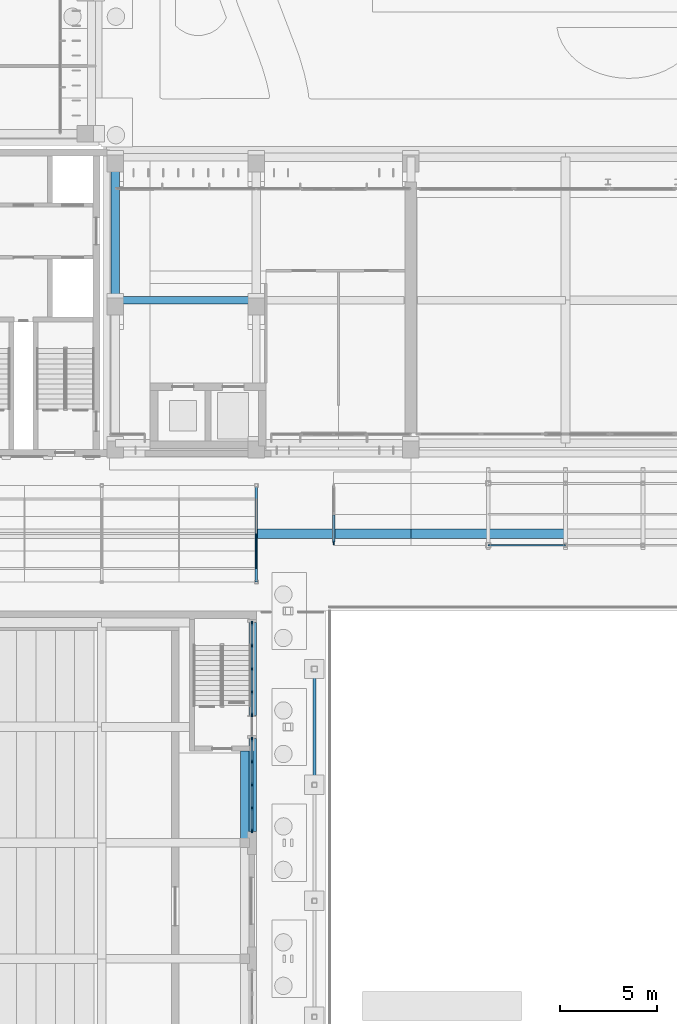
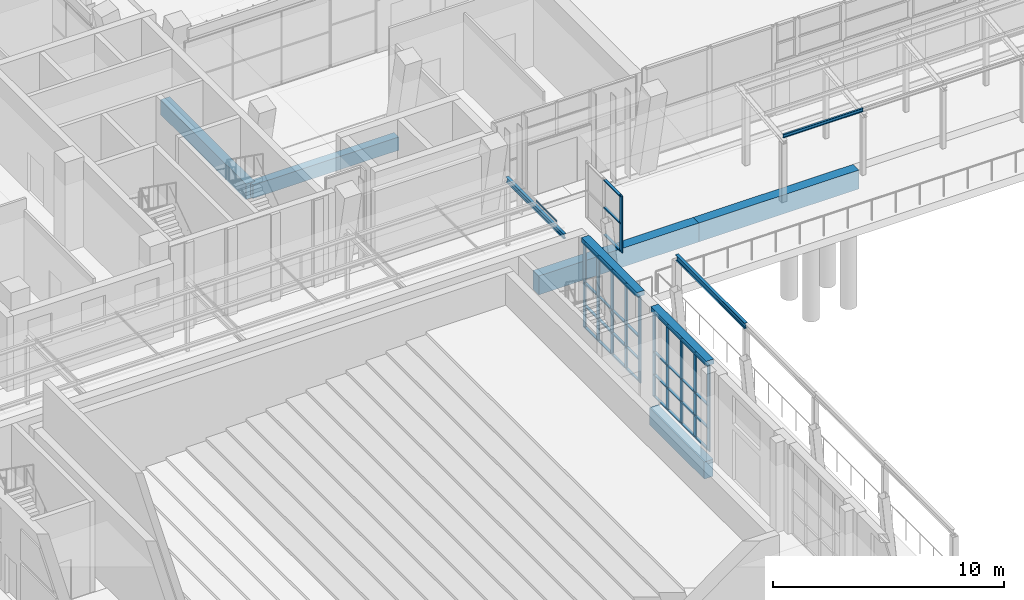
# One storey, part 31 of 144: 48 members, 9 beams, 3 elements without a shape of their own.
"""IFC4 building model written with IfcOpenShell, lengths in metres."""

from ifc_helpers import new_model, si_unit, direction, frame, origin, origin_2d, place, context, subcontext, project, spatial, rectangle, i_section, extrude, material, layer, layer_set, material_profile, profile_set, type_object, element, aggregate, save


model = new_model("IFC4")

# Units and contexts
model_context = context("Model", 3, precision=1e-05, world=origin(), true_north=direction((0.0, 1.0)))
body_context = subcontext(model_context, "Body", "Model", "MODEL_VIEW")
ifc_project = project(units=[si_unit("LENGTHUNIT", "METRE"), si_unit("AREAUNIT", "SQUARE_METRE"), si_unit("VOLUMEUNIT", "CUBIC_METRE"), si_unit("PLANEANGLEUNIT", "RADIAN"), si_unit("MASSUNIT", "GRAM", prefix="KILO")], contexts=[model_context])

# Site, building, storey
site_placement = place(None, origin())
site = spatial("IfcSite", under=ifc_project, at=site_placement, CompositionType="ELEMENT")
building_placement = place(site_placement, origin())
building = spatial("IfcBuilding", under=site, at=building_placement, Name="Lantern Court Media Centre", CompositionType="ELEMENT")
storey_placement = place(building_placement, origin())
storey = spatial("IfcBuildingStorey", under=building, at=storey_placement, Name="L00", CompositionType="ELEMENT", Elevation=0.0)

# Beam
ifc_material_1 = material(Name="Steel S355J2 (EN 10025-2)", Category="steel")
ifc_material_profile_1 = material_profile(ifc_material_1, i_section(OverallWidth=0.135009765625, OverallDepth=0.27001953125, WebThickness=0.006591796875, FlangeThickness=0.01025390625, FilletRadius=0.014892578125, at=origin_2d()), Name="IPE 270")
ifc_profile_set_1 = profile_set([ifc_material_profile_1], Name="Steel S355J2 (EN 10025-2)")
beam_type_1 = type_object("IfcBeamType", Name="Cloister canopy portal beam IPE 270", PredefinedType="BEAM", material=ifc_profile_set_1)
beam_1_placement = place(storey_placement, frame((32.0, 41.5, 3.465087890625), z_axis=(0.0, 1.0, 0.0), x_axis=(-1.0, 0.0, 0.0)))
element("IfcBeam", 1, at=beam_1_placement, inside=storey, type_object=beam_type_1, Name="Cloister portal beam 1-5", PredefinedType="BEAM", context=body_context, shape_type="SweptSolid", body=[
    extrude(i_section(OverallWidth=0.135009765625, OverallDepth=0.27001953125, WebThickness=0.006591796875, FlangeThickness=0.01025390625, FilletRadius=0.014892578125, at=origin_2d()), origin(), (0.0, 0.0, 1.0), 5.0),
])

# Members
ifc_material_profile_2 = material_profile(ifc_material_1, i_section(OverallWidth=0.0458984375, OverallDepth=0.080078125, WebThickness=0.00390625, FlangeThickness=0.005126953125, FilletRadius=0.0048828125, at=origin_2d()), Name="IPE 80")
ifc_profile_set_2 = profile_set([ifc_material_profile_2], Name="Steel S355J2 (EN 10025-2)")
member_type_1 = type_object("IfcMemberType", Name="Cloister sheeting rail IPE 80", PredefinedType="STRUT", material=ifc_profile_set_2)
member_1_placement = place(storey_placement, frame((32.0, 42.199951171875, 3.840087890625), z_axis=(0.0, 1.0, 0.0), x_axis=(-1.0, 0.0, 0.0)))
element("IfcMember", 2, at=member_1_placement, inside=storey, type_object=member_type_1, Name="Cloister sheeting rail 1-9-1", PredefinedType="STRUT", context=body_context, shape_type="SweptSolid", body=[
    extrude(i_section(OverallWidth=0.0458984375, OverallDepth=0.080078125, WebThickness=0.00390625, FlangeThickness=0.005126953125, FilletRadius=0.0048828125, at=origin_2d()), origin(), (0.0, 0.0, 1.0), 1.800048828125),
])
ifc_material_profile_3 = material_profile(ifc_material_1, i_section(OverallWidth=0.091064453125, OverallDepth=0.179931640625, WebThickness=0.00537109375, FlangeThickness=0.008056640625, FilletRadius=0.009033203125, at=origin_2d()), Name="IPE 180")
ifc_profile_set_3 = profile_set([ifc_material_profile_3], Name="Steel S355J2 (EN 10025-2)")
member_type_2 = type_object("IfcMemberType", Name="Entrance canopy purlin IPE 180", PredefinedType="PURLIN", material=ifc_profile_set_3)
member_2_placement = place(storey_placement, frame((44.0, 43.39990234375, 3.413818359375), z_axis=(1.0, 0.0, 0.0), x_axis=(0.0, 1.0, 0.0)))
element("IfcMember", 3, at=member_2_placement, inside=storey, type_object=member_type_2, Name="Entrance canopy purlin 1-1", PredefinedType="PURLIN", context=body_context, shape_type="SweptSolid", body=[
    extrude(i_section(OverallWidth=0.091064453125, OverallDepth=0.179931640625, WebThickness=0.00537109375, FlangeThickness=0.008056640625, FilletRadius=0.009033203125, at=origin_2d()), origin(), (0.0, 0.0, 1.0), 4.0),
])

# Beam
ifc_material_profile_4 = material_profile(ifc_material_1, i_section(OverallWidth=0.14990234375, OverallDepth=0.300048828125, WebThickness=0.007080078125, FlangeThickness=0.0107421875, FilletRadius=0.014892578125, at=origin_2d()), Name="IPE 300")
ifc_profile_set_4 = profile_set([ifc_material_profile_4], Name="Steel S355J2 (EN 10025-2)")
beam_type_2 = type_object("IfcBeamType", Name="Forecourt colonnade beam IPE 300", PredefinedType="BEAM", material=ifc_profile_set_4)
beam_2_placement = place(storey_placement, frame((35.0, 31.0, 4.050048828125), z_axis=(0.0, 1.0, 0.0), x_axis=(-1.0, 0.0, 0.0)))
element("IfcBeam", 4, at=beam_2_placement, inside=storey, type_object=beam_type_2, Name="Forecourt colonnade beam V1 4", PredefinedType="BEAM", context=body_context, shape_type="SweptSolid", body=[
    extrude(i_section(OverallWidth=0.14990234375, OverallDepth=0.300048828125, WebThickness=0.007080078125, FlangeThickness=0.0107421875, FilletRadius=0.014892578125, at=origin_2d()), origin(), (0.0, 0.0, 1.0), 6.0),
])

# Curtain wall, members
ifc_material_2 = material(Name="Aluminium and glass", Category="aluminium")
ifc_layer = layer(ifc_material_2, 0.14990234375)
ifc_layer_set = layer_set([ifc_layer], Name="Aluminium and glass")
curtain_wall_type = type_object("IfcCurtainWallType", Name="Hall lancet glazing", PredefinedType="NOTDEFINED", material=ifc_layer_set)
curtain_wall_1_placement = place(storey_placement, origin())
curtain_wall_1 = element("IfcCurtainWall", 5, at=curtain_wall_1_placement, inside=storey, type_object=curtain_wall_type, Name="Cinema Hall foyer glazing 6", PredefinedType="NOTDEFINED")
ifc_material_3 = material(Name="Aluminium, anodised", Category="aluminium")
ifc_material_profile_5 = material_profile(ifc_material_3, rectangle(XDim=0.06005859375, YDim=0.199951171875, at=origin_2d()), Name="HM")
ifc_profile_set_5 = profile_set([ifc_material_profile_5], Name="Aluminium, anodised")
member_type_3 = type_object("IfcMemberType", Name="HM", PredefinedType="MULLION", material=ifc_profile_set_5)
member_3_placement = place(storey_placement, frame((31.77490234375, 28.6298828125, 0.0), z_axis=(0.0, 0.0, 1.0), x_axis=(-1.0, 0.0, 0.0)))
member_3 = element("IfcMember", 6, at=member_3_placement, type_object=member_type_3, Name="HCW-V16 mullion 1", PredefinedType="MULLION", context=body_context, shape_type="SweptSolid", body=[
    extrude(rectangle(XDim=0.06005859375, YDim=0.199951171875, at=origin_2d()), origin(), (0.0, 0.0, 1.0), 4.550048828125),
])
member_4_placement = place(storey_placement, frame((31.77490234375, 29.800048828125, 0.0), z_axis=(0.0, 0.0, 1.0), x_axis=(-1.0, 0.0, 0.0)))
member_4 = element("IfcMember", 7, at=member_4_placement, type_object=member_type_3, Name="HCW-V16 mullion 2", PredefinedType="MULLION", context=body_context, shape_type="SweptSolid", body=[
    extrude(rectangle(XDim=0.06005859375, YDim=0.199951171875, at=origin_2d()), origin(), (0.0, 0.0, 1.0), 4.550048828125),
])
member_5_placement = place(storey_placement, frame((31.77490234375, 31.0, 0.0), z_axis=(0.0, 0.0, 1.0), x_axis=(-1.0, 0.0, 0.0)))
member_5 = element("IfcMember", 8, at=member_5_placement, type_object=member_type_3, Name="HCW-V16 mullion 3", PredefinedType="MULLION", context=body_context, shape_type="SweptSolid", body=[
    extrude(rectangle(XDim=0.06005859375, YDim=0.199951171875, at=origin_2d()), origin(), (0.0, 0.0, 1.0), 4.550048828125),
])
member_6_placement = place(storey_placement, frame((31.77490234375, 32.199951171875, 0.0), z_axis=(0.0, 0.0, 1.0), x_axis=(-1.0, 0.0, 0.0)))
member_6 = element("IfcMember", 9, at=member_6_placement, type_object=member_type_3, Name="HCW-V16 mullion 4", PredefinedType="MULLION", context=body_context, shape_type="SweptSolid", body=[
    extrude(rectangle(XDim=0.06005859375, YDim=0.199951171875, at=origin_2d()), origin(), (0.0, 0.0, 1.0), 4.550048828125),
])
member_7_placement = place(storey_placement, frame((31.77490234375, 33.3701171875, 0.0), z_axis=(0.0, 0.0, 1.0), x_axis=(-1.0, 0.0, 0.0)))
member_7 = element("IfcMember", 10, at=member_7_placement, type_object=member_type_3, Name="HCW-V16 mullion 5", PredefinedType="MULLION", context=body_context, shape_type="SweptSolid", body=[
    extrude(rectangle(XDim=0.06005859375, YDim=0.199951171875, at=origin_2d()), origin(), (0.0, 0.0, 1.0), 4.550048828125),
])

curtain_wall_2_placement = place(storey_placement, origin())
curtain_wall_2 = element("IfcCurtainWall", 11, at=curtain_wall_2_placement, inside=storey, type_object=curtain_wall_type, Name="Cinema Hall foyer glazing 7", PredefinedType="NOTDEFINED")
member_8_placement = place(storey_placement, frame((31.77490234375, 34.6298828125, 0.0), z_axis=(0.0, 0.0, 1.0), x_axis=(-1.0, 0.0, 0.0)))
member_8 = element("IfcMember", 12, at=member_8_placement, type_object=member_type_3, Name="HCW-V17 mullion 1", PredefinedType="MULLION", context=body_context, shape_type="SweptSolid", body=[
    extrude(rectangle(XDim=0.06005859375, YDim=0.199951171875, at=origin_2d()), origin(), (0.0, 0.0, 1.0), 4.550048828125),
])
member_9_placement = place(storey_placement, frame((31.77490234375, 35.800048828125, 0.0), z_axis=(0.0, 0.0, 1.0), x_axis=(-1.0, 0.0, 0.0)))
member_9 = element("IfcMember", 13, at=member_9_placement, type_object=member_type_3, Name="HCW-V17 mullion 2", PredefinedType="MULLION", context=body_context, shape_type="SweptSolid", body=[
    extrude(rectangle(XDim=0.06005859375, YDim=0.199951171875, at=origin_2d()), origin(), (0.0, 0.0, 1.0), 4.550048828125),
])
member_10_placement = place(storey_placement, frame((31.77490234375, 37.0, 0.0), z_axis=(0.0, 0.0, 1.0), x_axis=(-1.0, 0.0, 0.0)))
member_10 = element("IfcMember", 14, at=member_10_placement, type_object=member_type_3, Name="HCW-V17 mullion 3", PredefinedType="MULLION", context=body_context, shape_type="SweptSolid", body=[
    extrude(rectangle(XDim=0.06005859375, YDim=0.199951171875, at=origin_2d()), origin(), (0.0, 0.0, 1.0), 4.550048828125),
])
member_11_placement = place(storey_placement, frame((31.77490234375, 38.199951171875, 0.0), z_axis=(0.0, 0.0, 1.0), x_axis=(-1.0, 0.0, 0.0)))
member_11 = element("IfcMember", 15, at=member_11_placement, type_object=member_type_3, Name="HCW-V17 mullion 4", PredefinedType="MULLION", context=body_context, shape_type="SweptSolid", body=[
    extrude(rectangle(XDim=0.06005859375, YDim=0.199951171875, at=origin_2d()), origin(), (0.0, 0.0, 1.0), 4.550048828125),
])
member_12_placement = place(storey_placement, frame((31.77490234375, 39.3701171875, 0.0), z_axis=(0.0, 0.0, 1.0), x_axis=(-1.0, 0.0, 0.0)))
member_12 = element("IfcMember", 16, at=member_12_placement, type_object=member_type_3, Name="HCW-V17 mullion 5", PredefinedType="MULLION", context=body_context, shape_type="SweptSolid", body=[
    extrude(rectangle(XDim=0.06005859375, YDim=0.199951171875, at=origin_2d()), origin(), (0.0, 0.0, 1.0), 4.550048828125),
])

# Curtain wall, member
curtain_wall_3_placement = place(storey_placement, origin())
curtain_wall_3 = element("IfcCurtainWall", 17, at=curtain_wall_3_placement, inside=storey, type_object=curtain_wall_type, Name="Entrance canopy west end glazing", PredefinedType="NOTDEFINED")
member_13_placement = place(storey_placement, frame((36.0, 43.530029296875, 0.0), z_axis=(0.0, 0.0, 1.0), x_axis=(-1.0, 0.0, 0.0)))
member_13 = element("IfcMember", 18, at=member_13_placement, type_object=member_type_3, Name="HCW-CW mullion 1", PredefinedType="MULLION", context=body_context, shape_type="SweptSolid", body=[
    extrude(rectangle(XDim=0.06005859375, YDim=0.199951171875, at=origin_2d()), origin(), (0.0, 0.0, 1.0), 3.0),
])

# Member
ifc_material_profile_6 = material_profile(ifc_material_3, rectangle(XDim=0.1201171875, YDim=0.06005859375, at=origin_2d()), Name="HT")
ifc_profile_set_6 = profile_set([ifc_material_profile_6], Name="Aluminium, anodised")
member_type_4 = type_object("IfcMemberType", Name="HT", PredefinedType="USERDEFINED", material=ifc_profile_set_6)
member_14_placement = place(storey_placement, frame((31.77490234375, 28.659912109375, 0.06005859375), z_axis=(0.0, 1.0, 0.0), x_axis=(-1.0, 0.0, 0.0)))
member_14 = element("IfcMember", 19, at=member_14_placement, type_object=member_type_4, Name="HCW-V16 transom 1.1", ObjectType="TRANSOM", PredefinedType="USERDEFINED", context=body_context, shape_type="SweptSolid", body=[
    extrude(rectangle(XDim=0.1201171875, YDim=0.06005859375, at=origin_2d()), origin(), (0.0, 0.0, 1.0), 1.110107421875),
])

member_15_placement = place(storey_placement, frame((31.77490234375, 28.659912109375, 1.199951171875), z_axis=(0.0, 1.0, 0.0), x_axis=(-1.0, 0.0, 0.0)))
member_15 = element("IfcMember", 20, at=member_15_placement, type_object=member_type_4, Name="HCW-V16 transom 1.2", ObjectType="TRANSOM", PredefinedType="USERDEFINED", context=body_context, shape_type="SweptSolid", body=[
    extrude(rectangle(XDim=0.1201171875, YDim=0.06005859375, at=origin_2d()), origin(), (0.0, 0.0, 1.0), 1.110107421875),
])

member_16_placement = place(storey_placement, frame((31.77490234375, 28.659912109375, 2.39990234375), z_axis=(0.0, 1.0, 0.0), x_axis=(-1.0, 0.0, 0.0)))
member_16 = element("IfcMember", 21, at=member_16_placement, type_object=member_type_4, Name="HCW-V16 transom 1.3", ObjectType="TRANSOM", PredefinedType="USERDEFINED", context=body_context, shape_type="SweptSolid", body=[
    extrude(rectangle(XDim=0.1201171875, YDim=0.06005859375, at=origin_2d()), origin(), (0.0, 0.0, 1.0), 1.110107421875),
])

member_17_placement = place(storey_placement, frame((31.77490234375, 28.659912109375, 4.489990234375), z_axis=(0.0, 1.0, 0.0), x_axis=(-1.0, 0.0, 0.0)))
member_17 = element("IfcMember", 22, at=member_17_placement, type_object=member_type_4, Name="HCW-V16 transom 1.4", ObjectType="TRANSOM", PredefinedType="USERDEFINED", context=body_context, shape_type="SweptSolid", body=[
    extrude(rectangle(XDim=0.1201171875, YDim=0.06005859375, at=origin_2d()), origin(), (0.0, 0.0, 1.0), 1.110107421875),
])

member_18_placement = place(storey_placement, frame((31.77490234375, 29.830078125, 0.06005859375), z_axis=(0.0, 1.0, 0.0), x_axis=(-1.0, 0.0, 0.0)))
member_18 = element("IfcMember", 23, at=member_18_placement, type_object=member_type_4, Name="HCW-V16 transom 2.1", ObjectType="TRANSOM", PredefinedType="USERDEFINED", context=body_context, shape_type="SweptSolid", body=[
    extrude(rectangle(XDim=0.1201171875, YDim=0.06005859375, at=origin_2d()), origin(), (0.0, 0.0, 1.0), 1.139892578125),
])

member_19_placement = place(storey_placement, frame((31.77490234375, 29.830078125, 1.199951171875), z_axis=(0.0, 1.0, 0.0), x_axis=(-1.0, 0.0, 0.0)))
member_19 = element("IfcMember", 24, at=member_19_placement, type_object=member_type_4, Name="HCW-V16 transom 2.2", ObjectType="TRANSOM", PredefinedType="USERDEFINED", context=body_context, shape_type="SweptSolid", body=[
    extrude(rectangle(XDim=0.1201171875, YDim=0.06005859375, at=origin_2d()), origin(), (0.0, 0.0, 1.0), 1.139892578125),
])

member_20_placement = place(storey_placement, frame((31.77490234375, 29.830078125, 2.39990234375), z_axis=(0.0, 1.0, 0.0), x_axis=(-1.0, 0.0, 0.0)))
member_20 = element("IfcMember", 25, at=member_20_placement, type_object=member_type_4, Name="HCW-V16 transom 2.3", ObjectType="TRANSOM", PredefinedType="USERDEFINED", context=body_context, shape_type="SweptSolid", body=[
    extrude(rectangle(XDim=0.1201171875, YDim=0.06005859375, at=origin_2d()), origin(), (0.0, 0.0, 1.0), 1.139892578125),
])

member_21_placement = place(storey_placement, frame((31.77490234375, 29.830078125, 4.489990234375), z_axis=(0.0, 1.0, 0.0), x_axis=(-1.0, 0.0, 0.0)))
member_21 = element("IfcMember", 26, at=member_21_placement, type_object=member_type_4, Name="HCW-V16 transom 2.4", ObjectType="TRANSOM", PredefinedType="USERDEFINED", context=body_context, shape_type="SweptSolid", body=[
    extrude(rectangle(XDim=0.1201171875, YDim=0.06005859375, at=origin_2d()), origin(), (0.0, 0.0, 1.0), 1.139892578125),
])

member_22_placement = place(storey_placement, frame((31.77490234375, 31.030029296875, 0.06005859375), z_axis=(0.0, 1.0, 0.0), x_axis=(-1.0, 0.0, 0.0)))
member_22 = element("IfcMember", 27, at=member_22_placement, type_object=member_type_4, Name="HCW-V16 transom 3.1", ObjectType="TRANSOM", PredefinedType="USERDEFINED", context=body_context, shape_type="SweptSolid", body=[
    extrude(rectangle(XDim=0.1201171875, YDim=0.06005859375, at=origin_2d()), origin(), (0.0, 0.0, 1.0), 1.139892578125),
])

member_23_placement = place(storey_placement, frame((31.77490234375, 31.030029296875, 1.199951171875), z_axis=(0.0, 1.0, 0.0), x_axis=(-1.0, 0.0, 0.0)))
member_23 = element("IfcMember", 28, at=member_23_placement, type_object=member_type_4, Name="HCW-V16 transom 3.2", ObjectType="TRANSOM", PredefinedType="USERDEFINED", context=body_context, shape_type="SweptSolid", body=[
    extrude(rectangle(XDim=0.1201171875, YDim=0.06005859375, at=origin_2d()), origin(), (0.0, 0.0, 1.0), 1.139892578125),
])

member_24_placement = place(storey_placement, frame((31.77490234375, 31.030029296875, 2.39990234375), z_axis=(0.0, 1.0, 0.0), x_axis=(-1.0, 0.0, 0.0)))
member_24 = element("IfcMember", 29, at=member_24_placement, type_object=member_type_4, Name="HCW-V16 transom 3.3", ObjectType="TRANSOM", PredefinedType="USERDEFINED", context=body_context, shape_type="SweptSolid", body=[
    extrude(rectangle(XDim=0.1201171875, YDim=0.06005859375, at=origin_2d()), origin(), (0.0, 0.0, 1.0), 1.139892578125),
])

member_25_placement = place(storey_placement, frame((31.77490234375, 31.030029296875, 4.489990234375), z_axis=(0.0, 1.0, 0.0), x_axis=(-1.0, 0.0, 0.0)))
member_25 = element("IfcMember", 30, at=member_25_placement, type_object=member_type_4, Name="HCW-V16 transom 3.4", ObjectType="TRANSOM", PredefinedType="USERDEFINED", context=body_context, shape_type="SweptSolid", body=[
    extrude(rectangle(XDim=0.1201171875, YDim=0.06005859375, at=origin_2d()), origin(), (0.0, 0.0, 1.0), 1.139892578125),
])

member_26_placement = place(storey_placement, frame((31.77490234375, 32.22998046875, 0.06005859375), z_axis=(0.0, 1.0, 0.0), x_axis=(-1.0, 0.0, 0.0)))
member_26 = element("IfcMember", 31, at=member_26_placement, type_object=member_type_4, Name="HCW-V16 transom 4.1", ObjectType="TRANSOM", PredefinedType="USERDEFINED", context=body_context, shape_type="SweptSolid", body=[
    extrude(rectangle(XDim=0.1201171875, YDim=0.06005859375, at=origin_2d()), origin(), (0.0, 0.0, 1.0), 1.110107421875),
])

member_27_placement = place(storey_placement, frame((31.77490234375, 32.22998046875, 1.199951171875), z_axis=(0.0, 1.0, 0.0), x_axis=(-1.0, 0.0, 0.0)))
member_27 = element("IfcMember", 32, at=member_27_placement, type_object=member_type_4, Name="HCW-V16 transom 4.2", ObjectType="TRANSOM", PredefinedType="USERDEFINED", context=body_context, shape_type="SweptSolid", body=[
    extrude(rectangle(XDim=0.1201171875, YDim=0.06005859375, at=origin_2d()), origin(), (0.0, 0.0, 1.0), 1.110107421875),
])

member_28_placement = place(storey_placement, frame((31.77490234375, 32.22998046875, 2.39990234375), z_axis=(0.0, 1.0, 0.0), x_axis=(-1.0, 0.0, 0.0)))
member_28 = element("IfcMember", 33, at=member_28_placement, type_object=member_type_4, Name="HCW-V16 transom 4.3", ObjectType="TRANSOM", PredefinedType="USERDEFINED", context=body_context, shape_type="SweptSolid", body=[
    extrude(rectangle(XDim=0.1201171875, YDim=0.06005859375, at=origin_2d()), origin(), (0.0, 0.0, 1.0), 1.110107421875),
])

member_29_placement = place(storey_placement, frame((31.77490234375, 32.22998046875, 4.489990234375), z_axis=(0.0, 1.0, 0.0), x_axis=(-1.0, 0.0, 0.0)))
member_29 = element("IfcMember", 34, at=member_29_placement, type_object=member_type_4, Name="HCW-V16 transom 4.4", ObjectType="TRANSOM", PredefinedType="USERDEFINED", context=body_context, shape_type="SweptSolid", body=[
    extrude(rectangle(XDim=0.1201171875, YDim=0.06005859375, at=origin_2d()), origin(), (0.0, 0.0, 1.0), 1.110107421875),
])

aggregate(curtain_wall_1, [member_3, member_4, member_5, member_6, member_7, member_14, member_15, member_16, member_17, member_18, member_19, member_20, member_21, member_22, member_23, member_24, member_25, member_26, member_27, member_28, member_29])

member_30_placement = place(storey_placement, frame((31.77490234375, 34.659912109375, 0.06005859375), z_axis=(0.0, 1.0, 0.0), x_axis=(-1.0, 0.0, 0.0)))
member_30 = element("IfcMember", 35, at=member_30_placement, type_object=member_type_4, Name="HCW-V17 transom 1.1", ObjectType="TRANSOM", PredefinedType="USERDEFINED", context=body_context, shape_type="SweptSolid", body=[
    extrude(rectangle(XDim=0.1201171875, YDim=0.06005859375, at=origin_2d()), origin(), (0.0, 0.0, 1.0), 1.110107421875),
])

member_31_placement = place(storey_placement, frame((31.77490234375, 34.659912109375, 1.199951171875), z_axis=(0.0, 1.0, 0.0), x_axis=(-1.0, 0.0, 0.0)))
member_31 = element("IfcMember", 36, at=member_31_placement, type_object=member_type_4, Name="HCW-V17 transom 1.2", ObjectType="TRANSOM", PredefinedType="USERDEFINED", context=body_context, shape_type="SweptSolid", body=[
    extrude(rectangle(XDim=0.1201171875, YDim=0.06005859375, at=origin_2d()), origin(), (0.0, 0.0, 1.0), 1.110107421875),
])

member_32_placement = place(storey_placement, frame((31.77490234375, 34.659912109375, 2.39990234375), z_axis=(0.0, 1.0, 0.0), x_axis=(-1.0, 0.0, 0.0)))
member_32 = element("IfcMember", 37, at=member_32_placement, type_object=member_type_4, Name="HCW-V17 transom 1.3", ObjectType="TRANSOM", PredefinedType="USERDEFINED", context=body_context, shape_type="SweptSolid", body=[
    extrude(rectangle(XDim=0.1201171875, YDim=0.06005859375, at=origin_2d()), origin(), (0.0, 0.0, 1.0), 1.110107421875),
])

member_33_placement = place(storey_placement, frame((31.77490234375, 34.659912109375, 4.489990234375), z_axis=(0.0, 1.0, 0.0), x_axis=(-1.0, 0.0, 0.0)))
member_33 = element("IfcMember", 38, at=member_33_placement, type_object=member_type_4, Name="HCW-V17 transom 1.4", ObjectType="TRANSOM", PredefinedType="USERDEFINED", context=body_context, shape_type="SweptSolid", body=[
    extrude(rectangle(XDim=0.1201171875, YDim=0.06005859375, at=origin_2d()), origin(), (0.0, 0.0, 1.0), 1.110107421875),
])

member_34_placement = place(storey_placement, frame((31.77490234375, 35.830078125, 0.06005859375), z_axis=(0.0, 1.0, 0.0), x_axis=(-1.0, 0.0, 0.0)))
member_34 = element("IfcMember", 39, at=member_34_placement, type_object=member_type_4, Name="HCW-V17 transom 2.1", ObjectType="TRANSOM", PredefinedType="USERDEFINED", context=body_context, shape_type="SweptSolid", body=[
    extrude(rectangle(XDim=0.1201171875, YDim=0.06005859375, at=origin_2d()), origin(), (0.0, 0.0, 1.0), 1.139892578125),
])

member_35_placement = place(storey_placement, frame((31.77490234375, 35.830078125, 1.199951171875), z_axis=(0.0, 1.0, 0.0), x_axis=(-1.0, 0.0, 0.0)))
member_35 = element("IfcMember", 40, at=member_35_placement, type_object=member_type_4, Name="HCW-V17 transom 2.2", ObjectType="TRANSOM", PredefinedType="USERDEFINED", context=body_context, shape_type="SweptSolid", body=[
    extrude(rectangle(XDim=0.1201171875, YDim=0.06005859375, at=origin_2d()), origin(), (0.0, 0.0, 1.0), 1.139892578125),
])

member_36_placement = place(storey_placement, frame((31.77490234375, 35.830078125, 2.39990234375), z_axis=(0.0, 1.0, 0.0), x_axis=(-1.0, 0.0, 0.0)))
member_36 = element("IfcMember", 41, at=member_36_placement, type_object=member_type_4, Name="HCW-V17 transom 2.3", ObjectType="TRANSOM", PredefinedType="USERDEFINED", context=body_context, shape_type="SweptSolid", body=[
    extrude(rectangle(XDim=0.1201171875, YDim=0.06005859375, at=origin_2d()), origin(), (0.0, 0.0, 1.0), 1.139892578125),
])

member_37_placement = place(storey_placement, frame((31.77490234375, 35.830078125, 4.489990234375), z_axis=(0.0, 1.0, 0.0), x_axis=(-1.0, 0.0, 0.0)))
member_37 = element("IfcMember", 42, at=member_37_placement, type_object=member_type_4, Name="HCW-V17 transom 2.4", ObjectType="TRANSOM", PredefinedType="USERDEFINED", context=body_context, shape_type="SweptSolid", body=[
    extrude(rectangle(XDim=0.1201171875, YDim=0.06005859375, at=origin_2d()), origin(), (0.0, 0.0, 1.0), 1.139892578125),
])

member_38_placement = place(storey_placement, frame((31.77490234375, 37.030029296875, 0.06005859375), z_axis=(0.0, 1.0, 0.0), x_axis=(-1.0, 0.0, 0.0)))
member_38 = element("IfcMember", 43, at=member_38_placement, type_object=member_type_4, Name="HCW-V17 transom 3.1", ObjectType="TRANSOM", PredefinedType="USERDEFINED", context=body_context, shape_type="SweptSolid", body=[
    extrude(rectangle(XDim=0.1201171875, YDim=0.06005859375, at=origin_2d()), origin(), (0.0, 0.0, 1.0), 1.139892578125),
])

member_39_placement = place(storey_placement, frame((31.77490234375, 37.030029296875, 1.199951171875), z_axis=(0.0, 1.0, 0.0), x_axis=(-1.0, 0.0, 0.0)))
member_39 = element("IfcMember", 44, at=member_39_placement, type_object=member_type_4, Name="HCW-V17 transom 3.2", ObjectType="TRANSOM", PredefinedType="USERDEFINED", context=body_context, shape_type="SweptSolid", body=[
    extrude(rectangle(XDim=0.1201171875, YDim=0.06005859375, at=origin_2d()), origin(), (0.0, 0.0, 1.0), 1.139892578125),
])

member_40_placement = place(storey_placement, frame((31.77490234375, 37.030029296875, 2.39990234375), z_axis=(0.0, 1.0, 0.0), x_axis=(-1.0, 0.0, 0.0)))
member_40 = element("IfcMember", 45, at=member_40_placement, type_object=member_type_4, Name="HCW-V17 transom 3.3", ObjectType="TRANSOM", PredefinedType="USERDEFINED", context=body_context, shape_type="SweptSolid", body=[
    extrude(rectangle(XDim=0.1201171875, YDim=0.06005859375, at=origin_2d()), origin(), (0.0, 0.0, 1.0), 1.139892578125),
])

member_41_placement = place(storey_placement, frame((31.77490234375, 37.030029296875, 4.489990234375), z_axis=(0.0, 1.0, 0.0), x_axis=(-1.0, 0.0, 0.0)))
member_41 = element("IfcMember", 46, at=member_41_placement, type_object=member_type_4, Name="HCW-V17 transom 3.4", ObjectType="TRANSOM", PredefinedType="USERDEFINED", context=body_context, shape_type="SweptSolid", body=[
    extrude(rectangle(XDim=0.1201171875, YDim=0.06005859375, at=origin_2d()), origin(), (0.0, 0.0, 1.0), 1.139892578125),
])

member_42_placement = place(storey_placement, frame((31.77490234375, 38.22998046875, 0.06005859375), z_axis=(0.0, 1.0, 0.0), x_axis=(-1.0, 0.0, 0.0)))
member_42 = element("IfcMember", 47, at=member_42_placement, type_object=member_type_4, Name="HCW-V17 transom 4.1", ObjectType="TRANSOM", PredefinedType="USERDEFINED", context=body_context, shape_type="SweptSolid", body=[
    extrude(rectangle(XDim=0.1201171875, YDim=0.06005859375, at=origin_2d()), origin(), (0.0, 0.0, 1.0), 1.110107421875),
])

member_43_placement = place(storey_placement, frame((31.77490234375, 38.22998046875, 1.199951171875), z_axis=(0.0, 1.0, 0.0), x_axis=(-1.0, 0.0, 0.0)))
member_43 = element("IfcMember", 48, at=member_43_placement, type_object=member_type_4, Name="HCW-V17 transom 4.2", ObjectType="TRANSOM", PredefinedType="USERDEFINED", context=body_context, shape_type="SweptSolid", body=[
    extrude(rectangle(XDim=0.1201171875, YDim=0.06005859375, at=origin_2d()), origin(), (0.0, 0.0, 1.0), 1.110107421875),
])

member_44_placement = place(storey_placement, frame((31.77490234375, 38.22998046875, 2.39990234375), z_axis=(0.0, 1.0, 0.0), x_axis=(-1.0, 0.0, 0.0)))
member_44 = element("IfcMember", 49, at=member_44_placement, type_object=member_type_4, Name="HCW-V17 transom 4.3", ObjectType="TRANSOM", PredefinedType="USERDEFINED", context=body_context, shape_type="SweptSolid", body=[
    extrude(rectangle(XDim=0.1201171875, YDim=0.06005859375, at=origin_2d()), origin(), (0.0, 0.0, 1.0), 1.110107421875),
])

member_45_placement = place(storey_placement, frame((31.77490234375, 38.22998046875, 4.489990234375), z_axis=(0.0, 1.0, 0.0), x_axis=(-1.0, 0.0, 0.0)))
member_45 = element("IfcMember", 50, at=member_45_placement, type_object=member_type_4, Name="HCW-V17 transom 4.4", ObjectType="TRANSOM", PredefinedType="USERDEFINED", context=body_context, shape_type="SweptSolid", body=[
    extrude(rectangle(XDim=0.1201171875, YDim=0.06005859375, at=origin_2d()), origin(), (0.0, 0.0, 1.0), 1.110107421875),
])

aggregate(curtain_wall_2, [member_8, member_9, member_10, member_11, member_12, member_30, member_31, member_32, member_33, member_34, member_35, member_36, member_37, member_38, member_39, member_40, member_41, member_42, member_43, member_44, member_45])

member_46_placement = place(storey_placement, frame((36.0, 43.56005859375, 0.06005859375), z_axis=(0.0, 1.0, 0.0), x_axis=(-1.0, 0.0, 0.0)))
member_46 = element("IfcMember", 51, at=member_46_placement, type_object=member_type_4, Name="HCW-CW transom 1.1", ObjectType="TRANSOM", PredefinedType="USERDEFINED", context=body_context, shape_type="SweptSolid", body=[
    extrude(rectangle(XDim=0.1201171875, YDim=0.06005859375, at=origin_2d()), origin(), (0.0, 0.0, 1.0), 1.409912109375),
])

member_47_placement = place(storey_placement, frame((36.0, 43.56005859375, 1.5), z_axis=(0.0, 1.0, 0.0), x_axis=(-1.0, 0.0, 0.0)))
member_47 = element("IfcMember", 52, at=member_47_placement, type_object=member_type_4, Name="HCW-CW transom 1.2", ObjectType="TRANSOM", PredefinedType="USERDEFINED", context=body_context, shape_type="SweptSolid", body=[
    extrude(rectangle(XDim=0.1201171875, YDim=0.06005859375, at=origin_2d()), origin(), (0.0, 0.0, 1.0), 1.409912109375),
])

member_48_placement = place(storey_placement, frame((36.0, 43.56005859375, 2.93994140625), z_axis=(0.0, 1.0, 0.0), x_axis=(-1.0, 0.0, 0.0)))
member_48 = element("IfcMember", 53, at=member_48_placement, type_object=member_type_4, Name="HCW-CW transom 1.3", ObjectType="TRANSOM", PredefinedType="USERDEFINED", context=body_context, shape_type="SweptSolid", body=[
    extrude(rectangle(XDim=0.1201171875, YDim=0.06005859375, at=origin_2d()), origin(), (0.0, 0.0, 1.0), 1.409912109375),
])

aggregate(curtain_wall_3, [member_13, member_46, member_47, member_48])

# Beams
ifc_material_4 = material(Name="Concrete C35", Category="concrete")
ifc_material_profile_7 = material_profile(ifc_material_4, rectangle(XDim=0.3798828125, YDim=0.25, at=origin_2d()), Name="RC 380x250")
ifc_profile_set_7 = profile_set([ifc_material_profile_7], Name="Concrete C35")
beam_type_3 = type_object("IfcBeamType", Name="RC BEAM 380x250", PredefinedType="BEAM", material=ifc_profile_set_7)
for number, where, z_axis, x_axis, name in (
    (54, (31.81005859375, 28.60009765625, 4.675048828125), (0.0, 1.0, 0.0), (-1.0, 0.0, 0.0), "HB-V1-L00-FH5"),
    (55, (31.81005859375, 34.60009765625, 4.675048828125), (0.0, 1.0, 0.0), (-1.0, 0.0, 0.0), "HB-V1-L00-FH6"),
):
    element("IfcBeam", number, at=place(storey_placement, frame(where, z_axis=z_axis, x_axis=x_axis)), inside=storey, type_object=beam_type_3, Name=name, PredefinedType="BEAM", context=body_context, shape_type="SweptSolid", body=[
        extrude(rectangle(XDim=0.3798828125, YDim=0.25, at=origin_2d()), origin(), (0.0, 0.0, 1.0), 4.7998046875),
    ])
ifc_material_profile_8 = material_profile(ifc_material_4, rectangle(XDim=0.39990234375, YDim=0.699951171875, at=origin_2d()), Name="RC 400x700")
ifc_profile_set_8 = profile_set([ifc_material_profile_8], Name="Concrete C35")
beam_type_4 = type_object("IfcBeamType", Name="RC BEAM 400x700", PredefinedType="BEAM", material=ifc_profile_set_8)
beam_3_placement = place(storey_placement, frame((24.699951171875, 56.072998046875, -0.35009765625), z_axis=(1.0, 0.0, 0.0), x_axis=(0.0, 1.0, 0.0)))
element("IfcBeam", 56, at=beam_3_placement, inside=storey, type_object=beam_type_4, Name="LB-S-L00-1-0", PredefinedType="BEAM", context=body_context, shape_type="SweptSolid", body=[
    extrude(rectangle(XDim=0.39990234375, YDim=0.699951171875, at=origin_2d()), origin(), (0.0, 0.0, 1.0), 7.300048828125),
])
ifc_material_profile_9 = material_profile(ifc_material_4, rectangle(XDim=0.449951171875, YDim=0.800048828125, at=origin_2d()), Name="RC 450x800")
ifc_profile_set_9 = profile_set([ifc_material_profile_9], Name="Concrete C35")
beam_type_5 = type_object("IfcBeamType", Name="RC BEAM 450x800", PredefinedType="BEAM", material=ifc_profile_set_9)
beam_4_placement = place(storey_placement, frame((24.699951171875, 56.083251953125, -0.39990234375), z_axis=(0.0, 1.0, 0.0), x_axis=(-1.0, 0.0, 0.0)))
element("IfcBeam", 57, at=beam_4_placement, inside=storey, type_object=beam_type_5, Name="TB-S-L00-0-2", PredefinedType="BEAM", context=body_context, shape_type="SweptSolid", body=[
    extrude(rectangle(XDim=0.449951171875, YDim=0.800048828125, at=origin_2d()), origin(), (0.0, 0.0, 1.0), 7.400146484375),
])
ifc_material_profile_10 = material_profile(ifc_material_4, rectangle(XDim=0.449951171875, YDim=0.89990234375, at=origin_2d()), Name="RC 450x900")
ifc_profile_set_10 = profile_set([ifc_material_profile_10], Name="Concrete C35")
beam_type_6 = type_object("IfcBeamType", Name="RC BEAM 450x900", PredefinedType="BEAM", material=ifc_profile_set_10)
beam_5_placement = place(storey_placement, frame((31.39990234375, 28.0, -0.449951171875), z_axis=(0.0, 1.0, 0.0), x_axis=(-1.0, 0.0, 0.0)))
element("IfcBeam", 58, at=beam_5_placement, inside=storey, type_object=beam_type_6, Name="HB-V1-L00-PY4-5", PredefinedType="BEAM", context=body_context, shape_type="SweptSolid", body=[
    extrude(rectangle(XDim=0.449951171875, YDim=0.89990234375, at=origin_2d()), origin(), (0.0, 0.0, 1.0), 4.75),
])
ifc_material_profile_11 = material_profile(ifc_material_4, rectangle(XDim=0.5, YDim=1.0, at=origin_2d()), Name="RC 500x1000")
ifc_profile_set_11 = profile_set([ifc_material_profile_11], Name="Concrete C35")
beam_type_7 = type_object("IfcBeamType", Name="RC BEAM 500x1000", PredefinedType="BEAM", material=ifc_profile_set_11)
for number, where, z_axis, x_axis, name in (
    (59, (32.0, 44.0, -0.5), (1.0, 0.0, 0.0), (0.0, 1.0, 0.0), "GB-GAL-4"),
    (60, (40.0, 44.0, -0.5), (1.0, 0.0, 0.0), (0.0, 1.0, 0.0), "GB-GAL-5"),
):
    element("IfcBeam", number, at=place(storey_placement, frame(where, z_axis=z_axis, x_axis=x_axis)), inside=storey, type_object=beam_type_7, Name=name, PredefinedType="BEAM", context=body_context, shape_type="SweptSolid", body=[
        extrude(rectangle(XDim=0.5, YDim=1.0, at=origin_2d()), origin(), (0.0, 0.0, 1.0), 8.0),
    ])

save(model, "model.ifc")
